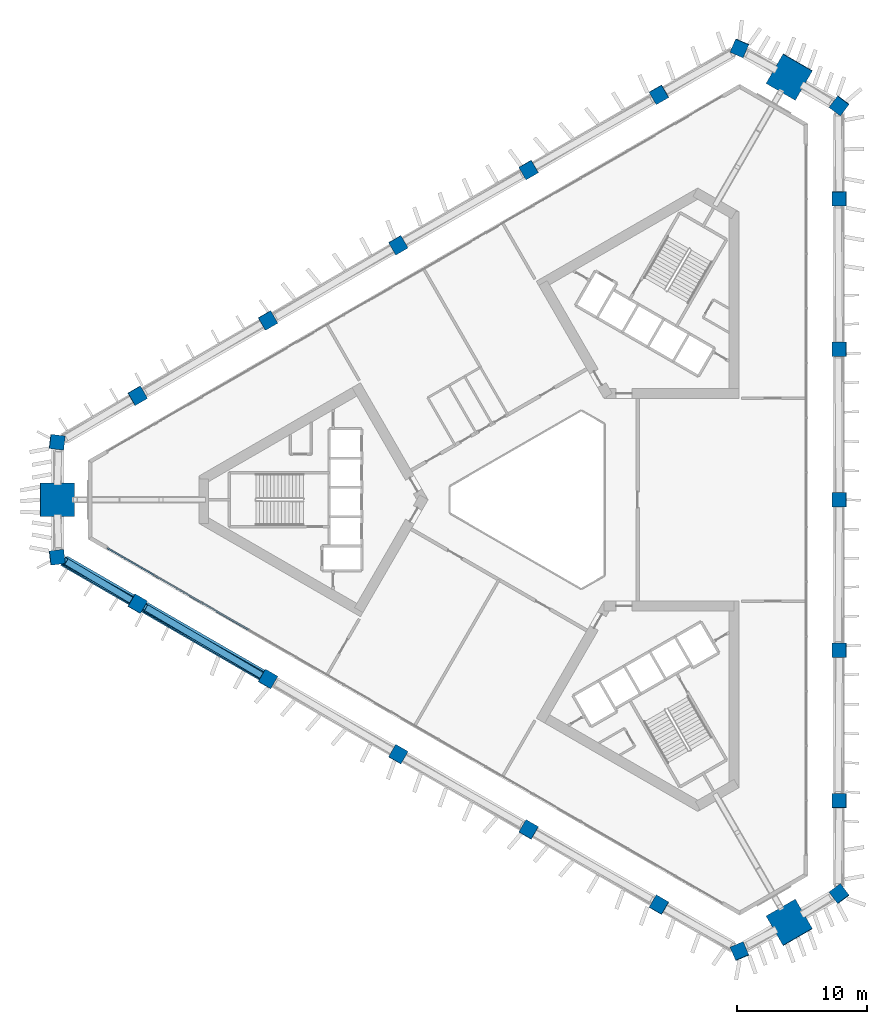
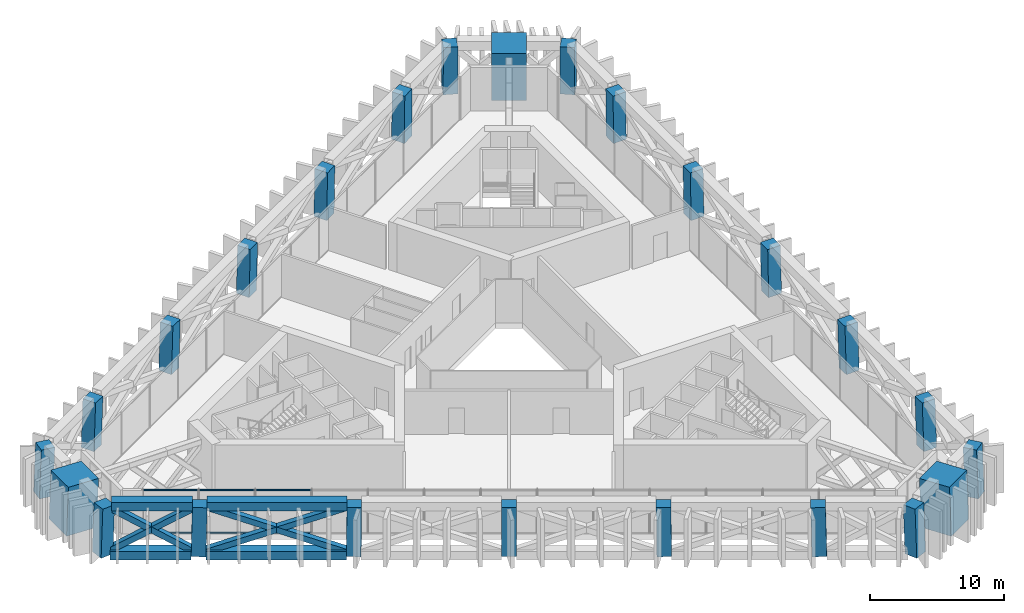
# One storey, part 1 of 17: 24 columns, 14 members, 1 element without a shape of its own.
"""IFC4 building model written with IfcOpenShell, lengths in metres."""

from ifc_helpers import new_model, si_unit, direction, frame, origin, origin_2d, place, context, subcontext, project, spatial, rectangle, hollow_rectangle, extrude, material, layer, layer_set, material_profile, profile_set, type_object, element, aggregate, save


model = new_model("IFC4")

# Units and contexts
model_context = context("Model", 3, precision=1e-05, world=origin(), true_north=direction((0.0, 1.0)))
body_context = subcontext(model_context, "Body", "Model", "MODEL_VIEW")
ifc_project = project(units=[si_unit("LENGTHUNIT", "METRE"), si_unit("AREAUNIT", "SQUARE_METRE"), si_unit("VOLUMEUNIT", "CUBIC_METRE"), si_unit("PLANEANGLEUNIT", "RADIAN"), si_unit("MASSUNIT", "GRAM", prefix="KILO")], contexts=[model_context])

# Site, building, storey
site_placement = place(None, origin())
site = spatial("IfcSite", under=ifc_project, at=site_placement, CompositionType="ELEMENT")
building_placement = place(site_placement, origin())
building = spatial("IfcBuilding", under=site, at=building_placement, Name="Jabali Bay Hotel Tower and Convention Centre", CompositionType="ELEMENT")
storey_placement = place(building_placement, frame((0.0, 0.0, 102.39990234375)))
storey = spatial("IfcBuildingStorey", under=building, at=storey_placement, Name="L24", CompositionType="ELEMENT", Elevation=102.39990234375)

# Columns
ifc_material_1 = material(Name="Concrete C60", Category="concrete")
ifc_material_profile_1 = material_profile(ifc_material_1, rectangle(XDim=1.10009765625, YDim=1.10009765625, at=origin_2d()), Name="Frame column 1100")
ifc_profile_set_1 = profile_set([ifc_material_profile_1], Name="Concrete C60")
column_type_1 = type_object("IfcColumnType", Name="Frame column 1100", PredefinedType="COLUMN", material=ifc_profile_set_1)
column_1_placement = place(storey_placement, frame((83.7421875, 111.1298828125, 0.0), z_axis=(-0.008374576728, -0.028118611929, 0.999569512404), x_axis=(0.866035454693, 0.49952834229, 0.021307896754)))
element("IfcColumn", 1, at=column_1_placement, inside=storey, type_object=column_type_1, Name="FC2 F1.1 L24", PredefinedType="COLUMN", context=body_context, shape_type="SweptSolid", body=[
    extrude(rectangle(XDim=1.10009765625, YDim=1.10009765625, at=origin_2d()), origin(), (0.0, 0.0, 1.0), 4.402099609375),
])
column_2_placement = place(storey_placement, frame((73.723876953125, 105.345947265625, 0.0), z_axis=(0.000887523446, -0.022798258525, 0.999739691975), x_axis=(0.865381690075, 0.500999966272, 0.010656654225)))
element("IfcColumn", 2, at=column_2_placement, inside=storey, type_object=column_type_1, Name="FC2 F1.2 L24", PredefinedType="COLUMN", context=body_context, shape_type="SweptSolid", body=[
    extrude(rectangle(XDim=1.10009765625, YDim=1.10009765625, at=origin_2d()), origin(), (0.0, 0.0, 1.0), 4.4013671875),
])
column_3_placement = place(storey_placement, frame((63.705810546875, 99.56201171875, 0.0), z_axis=(0.010096151254, -0.017474107939, 0.999796340902), x_axis=(0.865864418515, 0.500278731058, 2.6417e-08)))
element("IfcColumn", 3, at=column_3_placement, inside=storey, type_object=column_type_1, Name="FC2 F1.3 L24", PredefinedType="COLUMN", context=body_context, shape_type="SweptSolid", body=[
    extrude(rectangle(XDim=1.10009765625, YDim=1.10009765625, at=origin_2d()), origin(), (0.0, 0.0, 1.0), 4.401123046875),
])
column_4_placement = place(storey_placement, frame((53.687744140625, 93.778076171875, 0.0), z_axis=(0.019303638282, -0.012147979264, 0.999739864239), x_axis=(-0.499386766349, 0.866144413121, 0.020167132063)))
element("IfcColumn", 4, at=column_4_placement, inside=storey, type_object=column_type_1, Name="FC2 F1.4 L24", PredefinedType="COLUMN", context=body_context, shape_type="SweptSolid", body=[
    extrude(rectangle(XDim=1.10009765625, YDim=1.10009765625, at=origin_2d()), origin(), (0.0, 0.0, 1.0), 4.4013671875),
])
for number, where, z_axis, x_axis, name in (
    (5, (43.669677734375, 87.994140625, 0.0), (0.028506860357, -0.006821680591, 0.999570319481), (-0.499243078588, 0.866227649369, 0.020149638976), "FC2 F1.5 L24"),
    (6, (43.669677734375, 72.005859375, 0.0), (0.028506860357, 0.006821680591, 0.999570319481), (-0.865992902623, 0.499602966508, 0.021287753818), "FC2 F2.1 L24"),
):
    element("IfcColumn", number, at=place(storey_placement, frame(where, z_axis=z_axis, x_axis=x_axis)), inside=storey, type_object=column_type_1, Name=name, PredefinedType="COLUMN", context=body_context, shape_type="SweptSolid", body=[
        extrude(rectangle(XDim=1.10009765625, YDim=1.10009765625, at=origin_2d()), origin(), (0.0, 0.0, 1.0), 4.402099609375),
    ])
column_5_placement = place(storey_placement, frame((53.687744140625, 66.221923828125, 0.0), z_axis=(0.019303638282, 0.012147979264, 0.999739864239), x_axis=(-0.866164087887, 0.499646157015, 0.010653198369)))
element("IfcColumn", 7, at=column_5_placement, inside=storey, type_object=column_type_1, Name="FC2 F2.2 L24", PredefinedType="COLUMN", context=body_context, shape_type="SweptSolid", body=[
    extrude(rectangle(XDim=1.10009765625, YDim=1.10009765625, at=origin_2d()), origin(), (0.0, 0.0, 1.0), 4.4013671875),
])
column_6_placement = place(storey_placement, frame((63.705810546875, 60.43798828125, 0.0), z_axis=(0.010096151254, 0.017474107939, 0.999796340902), x_axis=(-0.500176845205, -0.865688077082, 0.020181098047)))
element("IfcColumn", 8, at=column_6_placement, inside=storey, type_object=column_type_1, Name="FC2 F2.3 L24", PredefinedType="COLUMN", context=body_context, shape_type="SweptSolid", body=[
    extrude(rectangle(XDim=1.10009765625, YDim=1.10009765625, at=origin_2d()), origin(), (0.0, 0.0, 1.0), 4.401123046875),
])
column_7_placement = place(storey_placement, frame((73.723876953125, 54.654052734375, 0.0), z_axis=(0.000887523446, 0.022798258525, 0.999739691975), x_axis=(-0.501112505118, -0.865146966245, 0.02017384471)))
element("IfcColumn", 9, at=column_7_placement, inside=storey, type_object=column_type_1, Name="FC2 F2.4 L24", PredefinedType="COLUMN", context=body_context, shape_type="SweptSolid", body=[
    extrude(rectangle(XDim=1.10009765625, YDim=1.10009765625, at=origin_2d()), origin(), (0.0, 0.0, 1.0), 4.4013671875),
])
for number, where, z_axis, x_axis, name in (
    (10, (83.7421875, 48.8701171875, 0.0), (-0.008374576728, 0.028118611929, 0.999569512404), (-0.499912450015, -0.865841081788, 0.020168376436), "FC2 F2.5 L24"),
    (11, (97.58837890625, 56.864013671875, 0.0), (-0.020187694342, 0.021352369016, 0.99956817343), (-0.00078391172, -0.999771949949, 0.0213408898), "FC2 F0.1 L24"),
):
    element("IfcColumn", number, at=place(storey_placement, frame(where, z_axis=z_axis, x_axis=x_axis)), inside=storey, type_object=column_type_1, Name=name, PredefinedType="COLUMN", context=body_context, shape_type="SweptSolid", body=[
        extrude(rectangle(XDim=1.10009765625, YDim=1.10009765625, at=origin_2d()), origin(), (0.0, 0.0, 1.0), 4.402099609375),
    ])
column_8_placement = place(storey_placement, frame((97.58837890625, 68.43212890625, 0.0), z_axis=(-0.020191152717, 0.010650278356, 0.999739410508), x_axis=(0.000495956591, -0.999943031321, 0.010662464085)))
element("IfcColumn", 12, at=column_8_placement, inside=storey, type_object=column_type_1, Name="FC2 F0.2 L24", PredefinedType="COLUMN", context=body_context, shape_type="SweptSolid", body=[
    extrude(rectangle(XDim=1.10009765625, YDim=1.10009765625, at=origin_2d()), origin(), (0.0, 0.0, 1.0), 4.4013671875),
])
column_9_placement = place(storey_placement, frame((97.58837890625, 80.0, 0.0), z_axis=(-0.02019229794, 0.0, 0.999796114767), x_axis=(0.0, -1.0, 0.0)))
element("IfcColumn", 13, at=column_9_placement, inside=storey, type_object=column_type_1, Name="FC2 F0.3 L24", PredefinedType="COLUMN", context=body_context, shape_type="SweptSolid", body=[
    extrude(rectangle(XDim=1.10009765625, YDim=1.10009765625, at=origin_2d()), origin(), (0.0, 0.0, 1.0), 4.401123046875),
])
column_10_placement = place(storey_placement, frame((97.58837890625, 91.56787109375, 0.0), z_axis=(-0.020191152717, -0.010650278356, 0.999739410508), x_axis=(0.999796014885, -0.000711114791, 0.020184720378)))
element("IfcColumn", 14, at=column_10_placement, inside=storey, type_object=column_type_1, Name="FC2 F0.4 L24", PredefinedType="COLUMN", context=body_context, shape_type="SweptSolid", body=[
    extrude(rectangle(XDim=1.10009765625, YDim=1.10009765625, at=origin_2d()), origin(), (0.0, 0.0, 1.0), 4.4013671875),
])
column_11_placement = place(storey_placement, frame((97.58837890625, 103.135986328125, 0.0), z_axis=(-0.020187694342, -0.021352369016, 0.99956817343), x_axis=(0.999795900411, 0.000352749846, 0.02019982891)))
element("IfcColumn", 15, at=column_11_placement, inside=storey, type_object=column_type_1, Name="FC2 F0.5 L24", PredefinedType="COLUMN", context=body_context, shape_type="SweptSolid", body=[
    extrude(rectangle(XDim=1.10009765625, YDim=1.10009765625, at=origin_2d()), origin(), (0.0, 0.0, 1.0), 4.402099609375),
])
for number, where, z_axis, x_axis, name in (
    (16, (97.58837890625, 49.716552734375, 0.0), (-0.020183805084, 0.029000357304, 0.999375601708), (-0.801471786999, -0.598031447763, 0.001167104073), "FC2 V0 L24"),
    (17, (97.58837890625, 110.283447265625, 0.0), (-0.020183805084, -0.029000357304, 0.999375601708), (0.597691884383, 0.800947792783, 0.035313518368), "FC2 V1 L24"),
    (18, (89.93212890625, 114.703857421875, 0.0), (-0.015026945815, -0.031994641089, 0.999375071653), (0.918679979913, -0.395000925085, 0.001167771225), "FC2 V2 L24"),
    (19, (37.4794921875, 84.42041015625, 0.0), (0.035210752589, -0.00299430022, 0.999375423486), (-0.992438450245, 0.117552211663, 0.035318550482), "FC2 V3 L24"),
    (20, (37.4794921875, 75.57958984375, 0.0), (0.035210752589, 0.00299430022, 0.999375423486), (-0.117584545656, 0.993062189241, 0.001167443171), "FC2 V4 L24"),
    (21, (89.93212890625, 45.296142578125, 0.0), (-0.015026945815, 0.031994641089, 0.999375071653), (0.394716715389, -0.918123418786, 0.035328493731), "FC2 V5 L24"),
):
    element("IfcColumn", number, at=place(storey_placement, frame(where, z_axis=z_axis, x_axis=x_axis)), inside=storey, type_object=column_type_1, Name=name, PredefinedType="COLUMN", context=body_context, shape_type="SweptSolid", body=[
        extrude(rectangle(XDim=1.10009765625, YDim=1.10009765625, at=origin_2d()), origin(), (0.0, 0.0, 1.0), 4.40283203125),
    ])
ifc_material_2 = material(Name="Concrete C70", Category="concrete")
ifc_material_profile_2 = material_profile(ifc_material_2, rectangle(XDim=2.60009765625, YDim=2.60009765625, at=origin_2d()), Name="Mega column 2600")
ifc_profile_set_2 = profile_set([ifc_material_profile_2], Name="Concrete C70")
column_type_2 = type_object("IfcColumnType", Name="Mega column 2600", PredefinedType="COLUMN", material=ifc_profile_set_2)
for number, where, z_axis, x_axis, name in (
    (22, (93.76025390625, 112.49365234375, 0.0), (-0.017633169529, -0.030497620254, 0.999379290606), (0.865713848677, -0.500539241427, 2.3364e-08), "MC2 M1 L24"),
    (23, (37.4794921875, 80.0, 0.0), (0.035210910437, 0.0, 0.999379903633), (0.0, 1.0, 0.0), "MC2 M0 L24"),
    (24, (93.76025390625, 47.50634765625, 0.0), (-0.017633169529, 0.030497620254, 0.999379290606), (0.500228551305, -0.865176492371, 0.035228305505), "MC2 M2 L24"),
):
    element("IfcColumn", number, at=place(storey_placement, frame(where, z_axis=z_axis, x_axis=x_axis)), inside=storey, type_object=column_type_2, Name=name, PredefinedType="COLUMN", context=body_context, shape_type="SweptSolid", body=[
        extrude(rectangle(XDim=2.60009765625, YDim=2.60009765625, at=origin_2d()), origin(), (0.0, 0.0, 1.0), 4.40283203125),
    ])

# Members
ifc_material_3 = material(Name="Steel Q420GJC", Category="steel")
ifc_material_profile_3 = material_profile(ifc_material_3, hollow_rectangle(XDim=0.5, YDim=0.5, WallThickness=0.030029296875, at=origin_2d()), Name="Belt brace 500x500x30")
ifc_profile_set_3 = profile_set([ifc_material_profile_3], Name="Steel Q420GJC")
member_type_1 = type_object("IfcMemberType", Name="Belt brace 500x500x30", PredefinedType="BRACE", material=ifc_profile_set_3)
member_1_placement = place(storey_placement, frame((37.959228515625, 75.310546875, 0.334228515625), z_axis=(0.745312525958, -0.418210688563, 0.519238922483), x_axis=(0.489347573475, 0.872088844289, 0.0)))
element("IfcMember", 25, at=member_1_placement, inside=storey, type_object=member_type_1, Name="Belt brace T2 V4-F2.1 x1", PredefinedType="BRACE", context=body_context, shape_type="SweptSolid", body=[
    extrude(hollow_rectangle(XDim=0.5, YDim=0.5, WallThickness=0.030029296875, at=origin_2d()), origin(), (0.0, 0.0, 1.0), 7.186767578125),
])
member_2_placement = place(storey_placement, frame((43.19677734375, 72.286865234375, 0.3447265625), z_axis=(-0.72838376533, 0.432921176842, 0.531070941632), x_axis=(-0.51092552571, -0.859624980545, 0.0)))
element("IfcMember", 26, at=member_2_placement, inside=storey, type_object=member_type_1, Name="Belt brace T2 V4-F2.1 x2", PredefinedType="BRACE", context=body_context, shape_type="SweptSolid", body=[
    extrude(hollow_rectangle(XDim=0.5, YDim=0.5, WallThickness=0.030029296875, at=origin_2d()), origin(), (0.0, 0.0, 1.0), 6.9873046875),
])
member_3_placement = place(storey_placement, frame((44.14794921875, 71.734619140625, 0.20849609375), z_axis=(0.813418064786, -0.461379828014, 0.354231147955), x_axis=(0.493371043648, 0.869818954317, 0.0)))
element("IfcMember", 27, at=member_3_placement, inside=storey, type_object=member_type_1, Name="Belt brace T2 F2.1-F2.2 x1", PredefinedType="BRACE", context=body_context, shape_type="SweptSolid", body=[
    extrude(hollow_rectangle(XDim=0.5, YDim=0.5, WallThickness=0.030029296875, at=origin_2d()), origin(), (0.0, 0.0, 1.0), 11.244384765625),
])
member_4_placement = place(storey_placement, frame((53.213623046875, 66.50048828125, 0.2109375), z_axis=(-0.804973512946, 0.473096347953, 0.358046769304), x_axis=(-0.506687905316, -0.862129553261, 0.0)))
element("IfcMember", 28, at=member_4_placement, inside=storey, type_object=member_type_1, Name="Belt brace T2 F2.1-F2.2 x2", PredefinedType="BRACE", context=body_context, shape_type="SweptSolid", body=[
    extrude(hollow_rectangle(XDim=0.5, YDim=0.5, WallThickness=0.030029296875, at=origin_2d()), origin(), (0.0, 0.0, 1.0), 11.111083984375),
])
ifc_material_profile_4 = material_profile(ifc_material_3, hollow_rectangle(XDim=0.800048828125, YDim=0.800048828125, WallThickness=0.0400390625, at=origin_2d()), Name="Belt chord 800x800x40")
ifc_profile_set_4 = profile_set([ifc_material_profile_4], Name="Steel Q420GJC")
member_type_2 = type_object("IfcMemberType", Name="Belt chord 800x800x40", PredefinedType="CHORD", material=ifc_profile_set_4)
member_5_placement = place(storey_placement, frame((37.955810546875, 75.3046875, 0.0), z_axis=(0.866023574055, -0.500003169172, 0.0), x_axis=(0.500003169172, 0.866023574055, 0.0)))
element("IfcMember", 29, at=member_5_placement, inside=storey, type_object=member_type_2, Name="Belt chord T2 V4-F2.1", PredefinedType="CHORD", context=body_context, shape_type="SweptSolid", body=[
    extrude(hollow_rectangle(XDim=0.800048828125, YDim=0.800048828125, WallThickness=0.0400390625, at=origin_2d()), origin(), (0.0, 0.0, 1.0), 6.0478515625),
])
member_6_placement = place(storey_placement, frame((44.14599609375, 71.73095703125, 0.0), z_axis=(0.866017023461, -0.500014514865, 0.0), x_axis=(0.500014514865, 0.866017023461, 0.0)))
element("IfcMember", 30, at=member_6_placement, inside=storey, type_object=member_type_2, Name="Belt chord T2 F2.1-F2.2", PredefinedType="CHORD", context=body_context, shape_type="SweptSolid", body=[
    extrude(hollow_rectangle(XDim=0.800048828125, YDim=0.800048828125, WallThickness=0.0400390625, at=origin_2d()), origin(), (0.0, 0.0, 1.0), 10.468017578125),
])
member_7_placement = place(storey_placement, frame((38.11083984375, 75.31787109375, 4.400146484375), z_axis=(0.866008456234, -0.50002935287, 0.0), x_axis=(0.50002935287, 0.866008456234, 0.0)))
element("IfcMember", 31, at=member_7_placement, inside=storey, type_object=member_type_2, Name="Belt chord T2 V4-F2.1", PredefinedType="CHORD", context=body_context, shape_type="SweptSolid", body=[
    extrude(hollow_rectangle(XDim=0.800048828125, YDim=0.800048828125, WallThickness=0.0400390625, at=origin_2d()), origin(), (0.0, 0.0, 1.0), 6.013916015625),
])
member_8_placement = place(storey_placement, frame((44.271484375, 71.760986328125, 4.400146484375), z_axis=(0.866018607488, -0.500011771347, 0.0), x_axis=(0.500011771347, 0.866018607488, 0.0)))
element("IfcMember", 32, at=member_8_placement, inside=storey, type_object=member_type_2, Name="Belt chord T2 F2.1-F2.2", PredefinedType="CHORD", context=body_context, shape_type="SweptSolid", body=[
    extrude(hollow_rectangle(XDim=0.800048828125, YDim=0.800048828125, WallThickness=0.0400390625, at=origin_2d()), origin(), (0.0, 0.0, 1.0), 10.421142578125),
])

# Curtain wall, members
ifc_material_4 = material(Name="Aluminium and glass", Category="aluminium")
ifc_layer = layer(ifc_material_4, 0.159912109375)
ifc_layer_set = layer_set([ifc_layer], Name="Aluminium and glass")
curtain_wall_type = type_object("IfcCurtainWallType", Name="CW3 curtain wall", PredefinedType="NOTDEFINED", material=ifc_layer_set)
curtain_wall_placement = place(storey_placement, origin())
curtain_wall = element("IfcCurtainWall", 33, at=curtain_wall_placement, inside=storey, type_object=curtain_wall_type, Name="CW3 curtain wall south-west face L24", PredefinedType="NOTDEFINED")
ifc_material_5 = material(Name="Aluminium", Category="aluminium")
ifc_material_profile_5 = material_profile(ifc_material_5, rectangle(XDim=0.1201171875, YDim=0.06005859375, at=origin_2d()), Name="CW3 transom 60 x 120")
ifc_profile_set_5 = profile_set([ifc_material_profile_5], Name="Aluminium")
member_type_3 = type_object("IfcMemberType", Name="CW3 transom 60 x 120", PredefinedType="USERDEFINED", material=ifc_profile_set_5)
member_9_placement = place(storey_placement, frame((52.218994140625, 70.014404296875, 0.030029296875), z_axis=(-0.86603638303, 0.499980982906, 0.0), x_axis=(-0.499980982906, -0.86603638303, 0.0)))
member_9 = element("IfcMember", 34, at=member_9_placement, type_object=member_type_3, Name="CW3 transom 11.1", ObjectType="TRANSOM", PredefinedType="USERDEFINED", context=body_context, shape_type="SweptSolid", body=[
    extrude(rectangle(XDim=0.1201171875, YDim=0.06005859375, at=origin_2d()), origin(), (0.0, 0.0, 1.0), 4.141845703125),
])
member_10_placement = place(storey_placement, frame((52.218994140625, 70.014404296875, 3.920166015625), z_axis=(-0.86603638303, 0.499980982906, 0.0), x_axis=(-0.499980982906, -0.86603638303, 0.0)))
member_10 = element("IfcMember", 35, at=member_10_placement, type_object=member_type_3, Name="CW3 transom 11.2", ObjectType="TRANSOM", PredefinedType="USERDEFINED", context=body_context, shape_type="SweptSolid", body=[
    extrude(rectangle(XDim=0.1201171875, YDim=0.06005859375, at=origin_2d()), origin(), (0.0, 0.0, 1.0), 4.141845703125),
])
member_11_placement = place(storey_placement, frame((48.580322265625, 72.115234375, 0.030029296875), z_axis=(-0.86603638303, 0.499980982906, 0.0), x_axis=(-0.499980982906, -0.86603638303, 0.0)))
member_11 = element("IfcMember", 36, at=member_11_placement, type_object=member_type_3, Name="CW3 transom 12.1", ObjectType="TRANSOM", PredefinedType="USERDEFINED", context=body_context, shape_type="SweptSolid", body=[
    extrude(rectangle(XDim=0.1201171875, YDim=0.06005859375, at=origin_2d()), origin(), (0.0, 0.0, 1.0), 4.141845703125),
])
member_12_placement = place(storey_placement, frame((48.580322265625, 72.115234375, 3.920166015625), z_axis=(-0.86603638303, 0.499980982906, 0.0), x_axis=(-0.499980982906, -0.86603638303, 0.0)))
member_12 = element("IfcMember", 37, at=member_12_placement, type_object=member_type_3, Name="CW3 transom 12.2", ObjectType="TRANSOM", PredefinedType="USERDEFINED", context=body_context, shape_type="SweptSolid", body=[
    extrude(rectangle(XDim=0.1201171875, YDim=0.06005859375, at=origin_2d()), origin(), (0.0, 0.0, 1.0), 4.141845703125),
])
member_13_placement = place(storey_placement, frame((44.94140625, 74.216064453125, 0.030029296875), z_axis=(-0.866016499285, 0.500015422728, 0.0), x_axis=(-0.500015422728, -0.866016499285, 0.0)))
member_13 = element("IfcMember", 38, at=member_13_placement, type_object=member_type_3, Name="CW3 transom 13.1", ObjectType="TRANSOM", PredefinedType="USERDEFINED", context=body_context, shape_type="SweptSolid", body=[
    extrude(rectangle(XDim=0.1201171875, YDim=0.06005859375, at=origin_2d()), origin(), (0.0, 0.0, 1.0), 4.111572265625),
])
member_14_placement = place(storey_placement, frame((44.94140625, 74.216064453125, 3.920166015625), z_axis=(-0.866016499285, 0.500015422728, 0.0), x_axis=(-0.500015422728, -0.866016499285, 0.0)))
member_14 = element("IfcMember", 39, at=member_14_placement, type_object=member_type_3, Name="CW3 transom 13.2", ObjectType="TRANSOM", PredefinedType="USERDEFINED", context=body_context, shape_type="SweptSolid", body=[
    extrude(rectangle(XDim=0.1201171875, YDim=0.06005859375, at=origin_2d()), origin(), (0.0, 0.0, 1.0), 4.111572265625),
])
aggregate(curtain_wall, [member_9, member_10, member_11, member_12, member_13, member_14])

save(model, "model.ifc")
